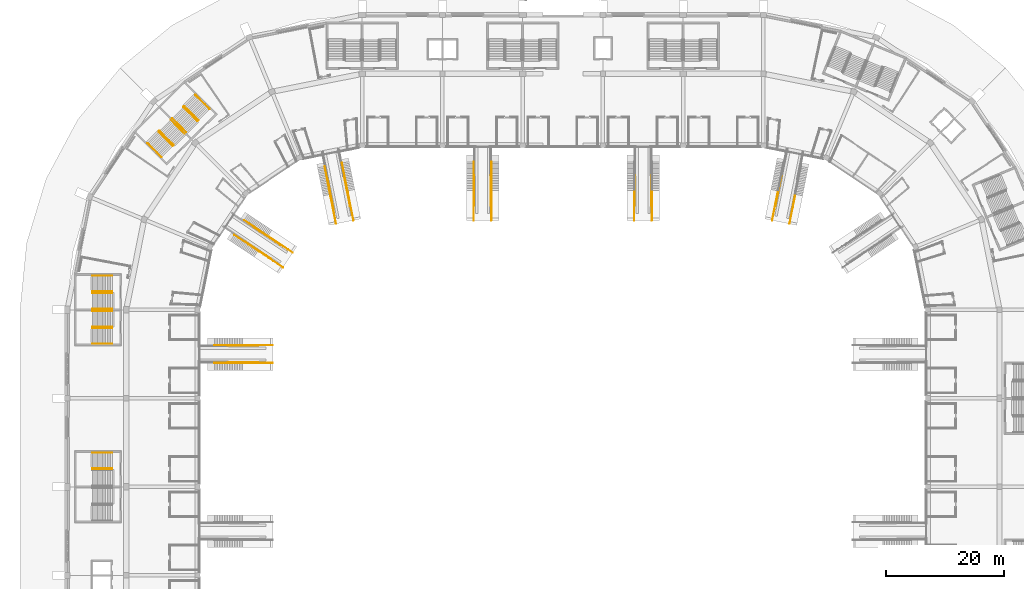
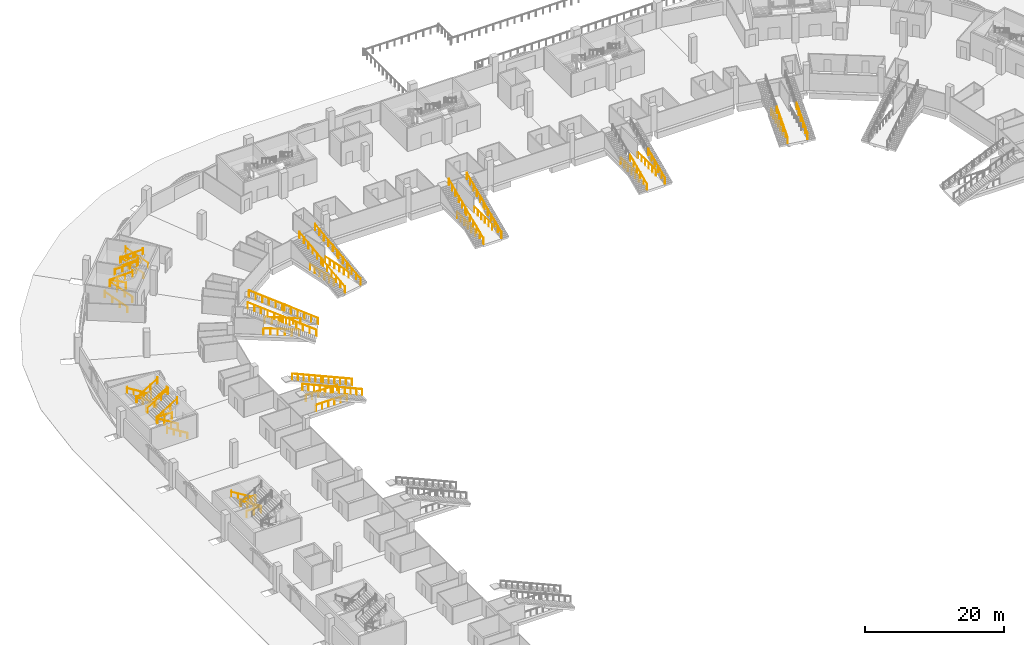
# One storey, part 164 of 175: 55 railings.
"""IFC4 building model written with IfcOpenShell, lengths in metres."""

from ifc_helpers import new_model, si_unit, direction, frame, origin, origin_2d, place, context, subcontext, project, spatial, circle, extrude, material, type_object, element, save


model = new_model("IFC4")

# Units and contexts
model_context = context("Model", 3, precision=1e-05, world=origin(), true_north=direction((0.0, 1.0)))
body_context = subcontext(model_context, "Body", "Model", "MODEL_VIEW")
ifc_project = project(units=[si_unit("LENGTHUNIT", "METRE"), si_unit("AREAUNIT", "SQUARE_METRE"), si_unit("VOLUMEUNIT", "CUBIC_METRE"), si_unit("PLANEANGLEUNIT", "RADIAN"), si_unit("MASSUNIT", "GRAM", prefix="KILO")], contexts=[model_context])

# Site, building, storey
site_placement = place(None, origin())
site = spatial("IfcSite", under=ifc_project, at=site_placement, CompositionType="ELEMENT")
building_placement = place(site_placement, origin())
building = spatial("IfcBuilding", under=site, at=building_placement, Name="Ogive Plaza Stadium", CompositionType="ELEMENT")
storey_placement = place(building_placement, origin())
storey = spatial("IfcBuildingStorey", under=building, at=storey_placement, Name="L00", CompositionType="ELEMENT", Elevation=0.0)

# Railings
ifc_material_1 = material(Name="Steel ASTM A572 Grade 50", Category="steel")
railing_type_1 = type_object("IfcRailingType", Name="Guard 1100", PredefinedType="GUARDRAIL", material=ifc_material_1)
for number, where, name in (
    (1, (-76.35009765625, 25.47509765625, 0.0), "Stair well guard ST26A L00"),
    (2, (-77.31005859375, 25.47509765625, 2.25), "Stair well guard ST26A L00"),
    (3, (-77.31005859375, 55.47509765625, 2.25), "Stair well guard ST28A L00"),
    (4, (-77.31005859375, 49.52490234375, 2.25), "Stair well guard ST28B L00"),
):
    element("IfcRailing", number, at=place(storey_placement, frame(where)), inside=storey, type_object=railing_type_1, Name=name, PredefinedType="GUARDRAIL", context=body_context, shape_type="SweptSolid", body=[
        extrude(circle(Radius=0.02392578125, at=origin_2d()), frame((0.0, 0.0, 1.076171875), z_axis=(-1.0, 0.0, 0.0), x_axis=(0.0, -1.0, 0.0)), (0.0, 0.0, 1.0), 2.39990234375),
        extrude(circle(Radius=0.02099609375, at=origin_2d()), origin(), (0.0, 0.0, 1.0), 1.052001953125),
        extrude(circle(Radius=0.02099609375, at=origin_2d()), frame((-1.199951171875, 0.0, 0.0)), (0.0, 0.0, 1.0), 1.052001953125),
        extrude(circle(Radius=0.02099609375, at=origin_2d()), frame((-2.39990234375, 0.0, 0.0)), (0.0, 0.0, 1.0), 1.052001953125),
    ])
for number, where, name in (
    (5, (-62.521240234375, 85.228515625, 2.25), "Stair well guard ST30A L00"),
    (6, (-66.728515625, 81.021240234375, 2.25), "Stair well guard ST30B L00"),
):
    element("IfcRailing", number, at=place(storey_placement, frame(where)), inside=storey, type_object=railing_type_1, Name=name, PredefinedType="GUARDRAIL", context=body_context, shape_type="SweptSolid", body=[
        extrude(circle(Radius=0.02392578125, at=origin_2d()), frame((0.0, 0.0, 1.076171875), z_axis=(-0.707106781187, 0.707106781187, 0.0), x_axis=(-0.707106781187, -0.707106781187, 0.0)), (0.0, 0.0, 1.0), 2.39990234375),
        extrude(circle(Radius=0.02099609375, at=origin_2d()), origin(), (0.0, 0.0, 1.0), 1.052001953125),
        extrude(circle(Radius=0.02099609375, at=origin_2d()), frame((-0.8486328125, 0.8486328125, 0.0)), (0.0, 0.0, 1.0), 1.052001953125),
        extrude(circle(Radius=0.02099609375, at=origin_2d()), frame((-1.697021484375, 1.697021484375, 0.0)), (0.0, 0.0, 1.0), 1.052001953125),
    ])
for number, where, name in (
    (7, (-49.14990234375, 46.5, 0.125), "Vomitory guard B27"),
    (8, (-54.25, 46.5, 2.375), "Vomitory guard B27"),
    (9, (-49.14990234375, 43.5, 0.125), "Vomitory guard B27"),
    (10, (-54.25, 43.5, 2.375), "Vomitory guard B27"),
):
    element("IfcRailing", number, at=place(storey_placement, frame(where)), inside=storey, type_object=railing_type_1, Name=name, PredefinedType="GUARDRAIL", context=body_context, shape_type="SweptSolid", body=[
        extrude(circle(Radius=0.02392578125, at=origin_2d()), frame((0.0, 0.0, 1.076171875), z_axis=(-0.914917297869, 0.0, 0.403641348302), x_axis=(0.0, -1.0, 0.0)), (0.0, 0.0, 1.0), 5.2646484375),
        extrude(circle(Radius=0.02099609375, at=origin_2d()), origin(), (0.0, 0.0, 1.0), 1.052001953125),
        extrude(circle(Radius=0.02099609375, at=origin_2d()), frame((-0.96337890625, 0.0, 0.425048828125)), (0.0, 0.0, 1.0), 1.052001953125),
        extrude(circle(Radius=0.02099609375, at=origin_2d()), frame((-1.9267578125, 0.0, 0.85009765625)), (0.0, 0.0, 1.0), 1.052001953125),
        extrude(circle(Radius=0.02099609375, at=origin_2d()), frame((-2.889892578125, 0.0, 1.27490234375)), (0.0, 0.0, 1.0), 1.052001953125),
        extrude(circle(Radius=0.02099609375, at=origin_2d()), frame((-3.853271484375, 0.0, 1.699951171875)), (0.0, 0.0, 1.0), 1.052001953125),
        extrude(circle(Radius=0.02099609375, at=origin_2d()), frame((-4.816650390625, 0.0, 2.125)), (0.0, 0.0, 1.0), 1.052001953125),
    ])
for number, where, name in (
    (11, (-51.643310546875, 46.419921875, 0.0), "Vomitory edge guard B27"),
    (12, (-51.643310546875, 43.580078125, 0.0), "Vomitory edge guard B27"),
):
    element("IfcRailing", number, at=place(storey_placement, frame(where)), inside=storey, type_object=railing_type_1, Name=name, PredefinedType="GUARDRAIL", context=body_context, shape_type="SweptSolid", body=[
        extrude(circle(Radius=0.02392578125, at=origin_2d()), frame((0.0, 0.0, 1.076171875), z_axis=(-1.0, 0.0, 0.0), x_axis=(0.0, -1.0, 0.0)), (0.0, 0.0, 1.0), 5.15673828125),
        extrude(circle(Radius=0.02099609375, at=origin_2d()), origin(), (0.0, 0.0, 1.0), 1.052001953125),
        extrude(circle(Radius=0.02099609375, at=origin_2d()), frame((-1.03125, 0.0, 0.0)), (0.0, 0.0, 1.0), 1.052001953125),
        extrude(circle(Radius=0.02099609375, at=origin_2d()), frame((-2.062744140625, 0.0, 0.0)), (0.0, 0.0, 1.0), 1.052001953125),
        extrude(circle(Radius=0.02099609375, at=origin_2d()), frame((-3.093994140625, 0.0, 0.0)), (0.0, 0.0, 1.0), 1.052001953125),
        extrude(circle(Radius=0.02099609375, at=origin_2d()), frame((-4.12548828125, 0.0, 0.0)), (0.0, 0.0, 1.0), 1.052001953125),
        extrude(circle(Radius=0.02099609375, at=origin_2d()), frame((-5.15673828125, 0.0, 0.0)), (0.0, 0.0, 1.0), 1.052001953125),
    ])
for number, where, name in (
    (13, (-45.763427734375, 62.1640625, 0.125), "Vomitory guard B29"),
    (14, (-50.00390625, 64.99755859375, 2.375), "Vomitory guard B29"),
    (15, (-47.43017578125, 59.669677734375, 0.125), "Vomitory guard B29"),
    (16, (-51.670654296875, 62.503173828125, 2.375), "Vomitory guard B29"),
):
    element("IfcRailing", number, at=place(storey_placement, frame(where)), inside=storey, type_object=railing_type_1, Name=name, PredefinedType="GUARDRAIL", context=body_context, shape_type="SweptSolid", body=[
        extrude(circle(Radius=0.02392578125, at=origin_2d()), frame((0.0, 0.0, 1.076171875), z_axis=(-0.760721903755, 0.508307290116, 0.403640785801), x_axis=(-0.555577158095, -0.831464985073, 0.0)), (0.0, 0.0, 1.0), 5.2646484375),
        extrude(circle(Radius=0.02099609375, at=origin_2d()), origin(), (0.0, 0.0, 1.0), 1.052001953125),
        extrude(circle(Radius=0.02099609375, at=origin_2d()), frame((-0.801025390625, 0.53515625, 0.425048828125)), (0.0, 0.0, 1.0), 1.052001953125),
        extrude(circle(Radius=0.02099609375, at=origin_2d()), frame((-1.60205078125, 1.0703125, 0.85009765625)), (0.0, 0.0, 1.0), 1.052001953125),
        extrude(circle(Radius=0.02099609375, at=origin_2d()), frame((-2.40283203125, 1.605712890625, 1.27490234375)), (0.0, 0.0, 1.0), 1.052001953125),
        extrude(circle(Radius=0.02099609375, at=origin_2d()), frame((-3.203857421875, 2.140869140625, 1.699951171875)), (0.0, 0.0, 1.0), 1.052001953125),
        extrude(circle(Radius=0.02099609375, at=origin_2d()), frame((-4.0048828125, 2.676025390625, 2.125)), (0.0, 0.0, 1.0), 1.052001953125),
    ])
railing_1_placement = place(storey_placement, frame((-47.881103515625, 63.48291015625, 0.0)))
element("IfcRailing", 17, at=railing_1_placement, inside=storey, type_object=railing_type_1, Name="Vomitory edge guard B29", PredefinedType="GUARDRAIL", context=body_context, shape_type="SweptSolid", body=[
    extrude(circle(Radius=0.02392578125, at=origin_2d()), frame((0.0, 0.0, 1.076171875), z_axis=(-0.831481711871, 0.555552124308, 0.0), x_axis=(-0.555552124308, -0.831481711871, 0.0)), (0.0, 0.0, 1.0), 5.156494140625),
    extrude(circle(Radius=0.02099609375, at=origin_2d()), origin(), (0.0, 0.0, 1.0), 1.052001953125),
    extrude(circle(Radius=0.02099609375, at=origin_2d()), frame((-0.857421875, 0.572998046875, 0.0)), (0.0, 0.0, 1.0), 1.052001953125),
    extrude(circle(Radius=0.02099609375, at=origin_2d()), frame((-1.715087890625, 1.14599609375, 0.0)), (0.0, 0.0, 1.0), 1.052001953125),
    extrude(circle(Radius=0.02099609375, at=origin_2d()), frame((-2.572509765625, 1.71875, 0.0)), (0.0, 0.0, 1.0), 1.052001953125),
    extrude(circle(Radius=0.02099609375, at=origin_2d()), frame((-3.43017578125, 2.291748046875, 0.0)), (0.0, 0.0, 1.0), 1.052001953125),
    extrude(circle(Radius=0.02099609375, at=origin_2d()), frame((-4.28759765625, 2.86474609375, 0.0)), (0.0, 0.0, 1.0), 1.052001953125),
])
railing_2_placement = place(storey_placement, frame((-49.458740234375, 61.121337890625, 0.0)))
element("IfcRailing", 18, at=railing_2_placement, inside=storey, type_object=railing_type_1, Name="Vomitory edge guard B29", PredefinedType="GUARDRAIL", context=body_context, shape_type="SweptSolid", body=[
    extrude(circle(Radius=0.02392578125, at=origin_2d()), frame((0.0, 0.0, 1.076171875), z_axis=(-0.831459841427, 0.55558485589, 0.0), x_axis=(-0.55558485589, -0.831459841427, 0.0)), (0.0, 0.0, 1.0), 5.15673828125),
    extrude(circle(Radius=0.02099609375, at=origin_2d()), origin(), (0.0, 0.0, 1.0), 1.052001953125),
    extrude(circle(Radius=0.02099609375, at=origin_2d()), frame((-0.857421875, 0.572998046875, 0.0)), (0.0, 0.0, 1.0), 1.052001953125),
    extrude(circle(Radius=0.02099609375, at=origin_2d()), frame((-1.715087890625, 1.14599609375, 0.0)), (0.0, 0.0, 1.0), 1.052001953125),
    extrude(circle(Radius=0.02099609375, at=origin_2d()), frame((-2.572509765625, 1.718994140625, 0.0)), (0.0, 0.0, 1.0), 1.052001953125),
    extrude(circle(Radius=0.02099609375, at=origin_2d()), frame((-3.43017578125, 2.2919921875, 0.0)), (0.0, 0.0, 1.0), 1.052001953125),
    extrude(circle(Radius=0.02099609375, at=origin_2d()), frame((-4.28759765625, 2.864990234375, 0.0)), (0.0, 0.0, 1.0), 1.052001953125),
])
for number, where, name in (
    (19, (-35.484375, 67.651611328125, 0.125), "Vomitory guard B31"),
    (20, (-36.4794921875, 72.653564453125, 2.375), "Vomitory guard B31"),
    (21, (-38.4267578125, 67.066162109375, 0.125), "Vomitory guard B31"),
):
    element("IfcRailing", number, at=place(storey_placement, frame(where)), inside=storey, type_object=railing_type_1, Name=name, PredefinedType="GUARDRAIL", context=body_context, shape_type="SweptSolid", body=[
        extrude(circle(Radius=0.02392578125, at=origin_2d()), frame((0.0, 0.0, 1.076171875), z_axis=(-0.178493692695, 0.897337738024, 0.403639672959), x_axis=(-0.980784837267, -0.1950925498, 0.0)), (0.0, 0.0, 1.0), 5.2646484375),
        extrude(circle(Radius=0.02099609375, at=origin_2d()), origin(), (0.0, 0.0, 1.0), 1.052001953125),
        extrude(circle(Radius=0.02099609375, at=origin_2d()), frame((-0.18798828125, 0.94482421875, 0.425048828125)), (0.0, 0.0, 1.0), 1.052001953125),
        extrude(circle(Radius=0.02099609375, at=origin_2d()), frame((-0.3759765625, 1.8896484375, 0.85009765625)), (0.0, 0.0, 1.0), 1.052001953125),
        extrude(circle(Radius=0.02099609375, at=origin_2d()), frame((-0.563720703125, 2.83447265625, 1.27490234375)), (0.0, 0.0, 1.0), 1.052001953125),
        extrude(circle(Radius=0.02099609375, at=origin_2d()), frame((-0.751708984375, 3.779296875, 1.699951171875)), (0.0, 0.0, 1.0), 1.052001953125),
        extrude(circle(Radius=0.02099609375, at=origin_2d()), frame((-0.939697265625, 4.72412109375, 2.125)), (0.0, 0.0, 1.0), 1.052001953125),
    ])
railing_3_placement = place(storey_placement, frame((-39.421875, 72.068359375, 2.375)))
element("IfcRailing", 22, at=railing_3_placement, inside=storey, type_object=railing_type_1, Name="Vomitory guard B31", PredefinedType="GUARDRAIL", context=body_context, shape_type="SweptSolid", body=[
    extrude(circle(Radius=0.02392578125, at=origin_2d()), frame((0.0, 0.0, 1.076171875), z_axis=(-0.178448795571, 0.897345164841, 0.403643013684), x_axis=(-0.980794534709, -0.195043791709, 0.0)), (0.0, 0.0, 1.0), 5.2646484375),
    extrude(circle(Radius=0.02099609375, at=origin_2d()), origin(), (0.0, 0.0, 1.0), 1.052001953125),
    extrude(circle(Radius=0.02099609375, at=origin_2d()), frame((-0.18798828125, 0.94482421875, 0.425048828125)), (0.0, 0.0, 1.0), 1.052001953125),
    extrude(circle(Radius=0.02099609375, at=origin_2d()), frame((-0.375732421875, 1.8896484375, 0.85009765625)), (0.0, 0.0, 1.0), 1.052001953125),
    extrude(circle(Radius=0.02099609375, at=origin_2d()), frame((-0.563720703125, 2.83447265625, 1.27490234375)), (0.0, 0.0, 1.0), 1.052001953125),
    extrude(circle(Radius=0.02099609375, at=origin_2d()), frame((-0.75146484375, 3.779296875, 1.699951171875)), (0.0, 0.0, 1.0), 1.052001953125),
    extrude(circle(Radius=0.02099609375, at=origin_2d()), frame((-0.939453125, 4.72412109375, 2.125)), (0.0, 0.0, 1.0), 1.052001953125),
])
for number, where, name in (
    (23, (-36.04931640625, 70.081298828125, 0.0), "Vomitory edge guard B31"),
    (24, (-38.834716796875, 69.52734375, 0.0), "Vomitory edge guard B31"),
):
    element("IfcRailing", number, at=place(storey_placement, frame(where)), inside=storey, type_object=railing_type_1, Name=name, PredefinedType="GUARDRAIL", context=body_context, shape_type="SweptSolid", body=[
        extrude(circle(Radius=0.02392578125, at=origin_2d()), frame((0.0, 0.0, 1.076171875), z_axis=(-0.195105414578, 0.980782278185, 0.0), x_axis=(-0.980782278185, -0.195105414578, 0.0)), (0.0, 0.0, 1.0), 5.15673828125),
        extrude(circle(Radius=0.02099609375, at=origin_2d()), origin(), (0.0, 0.0, 1.0), 1.052001953125),
        extrude(circle(Radius=0.02099609375, at=origin_2d()), frame((-0.201171875, 1.011474609375, 0.0)), (0.0, 0.0, 1.0), 1.052001953125),
        extrude(circle(Radius=0.02099609375, at=origin_2d()), frame((-0.40234375, 2.02294921875, 0.0)), (0.0, 0.0, 1.0), 1.052001953125),
        extrude(circle(Radius=0.02099609375, at=origin_2d()), frame((-0.603759765625, 3.03466796875, 0.0)), (0.0, 0.0, 1.0), 1.052001953125),
        extrude(circle(Radius=0.02099609375, at=origin_2d()), frame((-0.804931640625, 4.046142578125, 0.0)), (0.0, 0.0, 1.0), 1.052001953125),
        extrude(circle(Radius=0.02099609375, at=origin_2d()), frame((-1.006103515625, 5.0576171875, 0.0)), (0.0, 0.0, 1.0), 1.052001953125),
    ])
for number, where, name in (
    (25, (-12.10009765625, 67.64990234375, 0.125), "Vomitory guard B33"),
    (26, (-12.10009765625, 72.75, 2.375), "Vomitory guard B33"),
    (27, (-15.10009765625, 67.64990234375, 0.125), "Vomitory guard B33"),
    (28, (-15.10009765625, 72.75, 2.375), "Vomitory guard B33"),
):
    element("IfcRailing", number, at=place(storey_placement, frame(where)), inside=storey, type_object=railing_type_1, Name=name, PredefinedType="GUARDRAIL", context=body_context, shape_type="SweptSolid", body=[
        extrude(circle(Radius=0.02392578125, at=origin_2d()), frame((0.0, 0.0, 1.076171875), z_axis=(0.0, 0.914917297869, 0.403641348302), x_axis=(-1.0, 0.0, 0.0)), (0.0, 0.0, 1.0), 5.2646484375),
        extrude(circle(Radius=0.02099609375, at=origin_2d()), origin(), (0.0, 0.0, 1.0), 1.052001953125),
        extrude(circle(Radius=0.02099609375, at=origin_2d()), frame((0.0, 0.96337890625, 0.425048828125)), (0.0, 0.0, 1.0), 1.052001953125),
        extrude(circle(Radius=0.02099609375, at=origin_2d()), frame((0.0, 1.9267578125, 0.85009765625)), (0.0, 0.0, 1.0), 1.052001953125),
        extrude(circle(Radius=0.02099609375, at=origin_2d()), frame((0.0, 2.889892578125, 1.27490234375)), (0.0, 0.0, 1.0), 1.052001953125),
        extrude(circle(Radius=0.02099609375, at=origin_2d()), frame((0.0, 3.853271484375, 1.699951171875)), (0.0, 0.0, 1.0), 1.052001953125),
        extrude(circle(Radius=0.02099609375, at=origin_2d()), frame((0.0, 4.816650390625, 2.125)), (0.0, 0.0, 1.0), 1.052001953125),
    ])
for number, where, name in (
    (29, (-12.179931640625, 70.143310546875, 0.0), "Vomitory edge guard B33"),
    (30, (-15.02001953125, 70.143310546875, 0.0), "Vomitory edge guard B33"),
):
    element("IfcRailing", number, at=place(storey_placement, frame(where)), inside=storey, type_object=railing_type_1, Name=name, PredefinedType="GUARDRAIL", context=body_context, shape_type="SweptSolid", body=[
        extrude(circle(Radius=0.02392578125, at=origin_2d()), frame((0.0, 0.0, 1.076171875), z_axis=(0.0, 1.0, 0.0), x_axis=(-1.0, 0.0, 0.0)), (0.0, 0.0, 1.0), 5.15673828125),
        extrude(circle(Radius=0.02099609375, at=origin_2d()), origin(), (0.0, 0.0, 1.0), 1.052001953125),
        extrude(circle(Radius=0.02099609375, at=origin_2d()), frame((0.0, 1.03125, 0.0)), (0.0, 0.0, 1.0), 1.052001953125),
        extrude(circle(Radius=0.02099609375, at=origin_2d()), frame((0.0, 2.062744140625, 0.0)), (0.0, 0.0, 1.0), 1.052001953125),
        extrude(circle(Radius=0.02099609375, at=origin_2d()), frame((0.0, 3.093994140625, 0.0)), (0.0, 0.0, 1.0), 1.052001953125),
        extrude(circle(Radius=0.02099609375, at=origin_2d()), frame((0.0, 4.12548828125, 0.0)), (0.0, 0.0, 1.0), 1.052001953125),
        extrude(circle(Radius=0.02099609375, at=origin_2d()), frame((0.0, 5.15673828125, 0.0)), (0.0, 0.0, 1.0), 1.052001953125),
    ])
for number, where, name in (
    (31, (15.10009765625, 67.64990234375, 0.125), "Vomitory guard B35"),
    (32, (12.10009765625, 67.64990234375, 0.125), "Vomitory guard B35"),
):
    element("IfcRailing", number, at=place(storey_placement, frame(where)), inside=storey, type_object=railing_type_1, Name=name, PredefinedType="GUARDRAIL", context=body_context, shape_type="SweptSolid", body=[
        extrude(circle(Radius=0.02392578125, at=origin_2d()), frame((0.0, 0.0, 1.076171875), z_axis=(0.0, 0.914917297869, 0.403641348302), x_axis=(-1.0, 0.0, 0.0)), (0.0, 0.0, 1.0), 5.2646484375),
        extrude(circle(Radius=0.02099609375, at=origin_2d()), origin(), (0.0, 0.0, 1.0), 1.052001953125),
        extrude(circle(Radius=0.02099609375, at=origin_2d()), frame((0.0, 0.96337890625, 0.425048828125)), (0.0, 0.0, 1.0), 1.052001953125),
        extrude(circle(Radius=0.02099609375, at=origin_2d()), frame((0.0, 1.9267578125, 0.85009765625)), (0.0, 0.0, 1.0), 1.052001953125),
        extrude(circle(Radius=0.02099609375, at=origin_2d()), frame((0.0, 2.889892578125, 1.27490234375)), (0.0, 0.0, 1.0), 1.052001953125),
        extrude(circle(Radius=0.02099609375, at=origin_2d()), frame((0.0, 3.853271484375, 1.699951171875)), (0.0, 0.0, 1.0), 1.052001953125),
        extrude(circle(Radius=0.02099609375, at=origin_2d()), frame((0.0, 4.816650390625, 2.125)), (0.0, 0.0, 1.0), 1.052001953125),
    ])
for number, where, name in (
    (33, (15.02001953125, 70.143310546875, 0.0), "Vomitory edge guard B35"),
    (34, (12.179931640625, 70.143310546875, 0.0), "Vomitory edge guard B35"),
):
    element("IfcRailing", number, at=place(storey_placement, frame(where)), inside=storey, type_object=railing_type_1, Name=name, PredefinedType="GUARDRAIL", context=body_context, shape_type="SweptSolid", body=[
        extrude(circle(Radius=0.02392578125, at=origin_2d()), frame((0.0, 0.0, 1.076171875), z_axis=(0.0, 1.0, 0.0), x_axis=(-1.0, 0.0, 0.0)), (0.0, 0.0, 1.0), 5.15673828125),
        extrude(circle(Radius=0.02099609375, at=origin_2d()), origin(), (0.0, 0.0, 1.0), 1.052001953125),
        extrude(circle(Radius=0.02099609375, at=origin_2d()), frame((0.0, 1.03125, 0.0)), (0.0, 0.0, 1.0), 1.052001953125),
        extrude(circle(Radius=0.02099609375, at=origin_2d()), frame((0.0, 2.062744140625, 0.0)), (0.0, 0.0, 1.0), 1.052001953125),
        extrude(circle(Radius=0.02099609375, at=origin_2d()), frame((0.0, 3.093994140625, 0.0)), (0.0, 0.0, 1.0), 1.052001953125),
        extrude(circle(Radius=0.02099609375, at=origin_2d()), frame((0.0, 4.12548828125, 0.0)), (0.0, 0.0, 1.0), 1.052001953125),
        extrude(circle(Radius=0.02099609375, at=origin_2d()), frame((0.0, 5.15673828125, 0.0)), (0.0, 0.0, 1.0), 1.052001953125),
    ])
for number, where, name in (
    (35, (38.4267578125, 67.066162109375, 0.125), "Vomitory guard B37"),
    (36, (35.484375, 67.651611328125, 0.125), "Vomitory guard B37"),
):
    element("IfcRailing", number, at=place(storey_placement, frame(where)), inside=storey, type_object=railing_type_1, Name=name, PredefinedType="GUARDRAIL", context=body_context, shape_type="SweptSolid", body=[
        extrude(circle(Radius=0.02392578125, at=origin_2d()), frame((0.0, 0.0, 1.076171875), z_axis=(0.178493692695, 0.897337738024, 0.403639672959), x_axis=(-0.980784837267, 0.1950925498, 0.0)), (0.0, 0.0, 1.0), 5.2646484375),
        extrude(circle(Radius=0.02099609375, at=origin_2d()), origin(), (0.0, 0.0, 1.0), 1.052001953125),
        extrude(circle(Radius=0.02099609375, at=origin_2d()), frame((0.18798828125, 0.94482421875, 0.425048828125)), (0.0, 0.0, 1.0), 1.052001953125),
        extrude(circle(Radius=0.02099609375, at=origin_2d()), frame((0.3759765625, 1.8896484375, 0.85009765625)), (0.0, 0.0, 1.0), 1.052001953125),
        extrude(circle(Radius=0.02099609375, at=origin_2d()), frame((0.563720703125, 2.83447265625, 1.27490234375)), (0.0, 0.0, 1.0), 1.052001953125),
        extrude(circle(Radius=0.02099609375, at=origin_2d()), frame((0.751708984375, 3.779296875, 1.699951171875)), (0.0, 0.0, 1.0), 1.052001953125),
        extrude(circle(Radius=0.02099609375, at=origin_2d()), frame((0.939697265625, 4.72412109375, 2.125)), (0.0, 0.0, 1.0), 1.052001953125),
    ])
railing_4_placement = place(storey_placement, frame((36.04931640625, 70.081298828125, 0.0)))
element("IfcRailing", 37, at=railing_4_placement, inside=storey, type_object=railing_type_1, Name="Vomitory edge guard B37", PredefinedType="GUARDRAIL", context=body_context, shape_type="SweptSolid", body=[
    extrude(circle(Radius=0.02392578125, at=origin_2d()), frame((0.0, 0.0, 1.076171875), z_axis=(0.195105414578, 0.980782278185, 0.0), x_axis=(-0.980782278185, 0.195105414578, 0.0)), (0.0, 0.0, 1.0), 5.15673828125),
    extrude(circle(Radius=0.02099609375, at=origin_2d()), origin(), (0.0, 0.0, 1.0), 1.052001953125),
    extrude(circle(Radius=0.02099609375, at=origin_2d()), frame((0.201171875, 1.011474609375, 0.0)), (0.0, 0.0, 1.0), 1.052001953125),
    extrude(circle(Radius=0.02099609375, at=origin_2d()), frame((0.40234375, 2.02294921875, 0.0)), (0.0, 0.0, 1.0), 1.052001953125),
    extrude(circle(Radius=0.02099609375, at=origin_2d()), frame((0.603759765625, 3.03466796875, 0.0)), (0.0, 0.0, 1.0), 1.052001953125),
    extrude(circle(Radius=0.02099609375, at=origin_2d()), frame((0.804931640625, 4.046142578125, 0.0)), (0.0, 0.0, 1.0), 1.052001953125),
    extrude(circle(Radius=0.02099609375, at=origin_2d()), frame((1.006103515625, 5.0576171875, 0.0)), (0.0, 0.0, 1.0), 1.052001953125),
])
ifc_material_2 = material(Name="Steel ASTM A572 Grade 50", Category="steel")
railing_type_2 = type_object("IfcRailingType", Name="Handrail 900", PredefinedType="HANDRAIL", material=ifc_material_2)
for number, where, name in (
    (38, (-76.35009765625, 28.264892578125, 0.173095703125), "Handrail ST26A L00"),
    (39, (-76.35009765625, 25.5849609375, 0.173095703125), "Handrail ST26A L00"),
    (40, (-76.35009765625, 58.264892578125, 0.173095703125), "Handrail ST28A L00"),
    (41, (-76.35009765625, 55.5849609375, 0.173095703125), "Handrail ST28A L00"),
):
    element("IfcRailing", number, at=place(storey_placement, frame(where)), inside=storey, type_object=railing_type_2, Name=name, PredefinedType="HANDRAIL", context=body_context, shape_type="SweptSolid", body=[
        extrude(circle(Radius=0.02392578125, at=origin_2d()), frame((0.0, 0.0, 0.8759765625), z_axis=(-0.850606129759, 0.0, 0.525803396734), x_axis=(0.0, -1.0, 0.0)), (0.0, 0.0, 1.0), 3.949951171875),
        extrude(circle(Radius=0.02099609375, at=origin_2d()), origin(), (0.0, 0.0, 1.0), 0.851806640625),
        extrude(circle(Radius=0.02099609375, at=origin_2d()), frame((-1.119873046875, 0.0, 0.6923828125)), (0.0, 0.0, 1.0), 0.851806640625),
        extrude(circle(Radius=0.02099609375, at=origin_2d()), frame((-2.239990234375, 0.0, 1.384521484375)), (0.0, 0.0, 1.0), 0.851806640625),
        extrude(circle(Radius=0.02099609375, at=origin_2d()), frame((-3.35986328125, 0.0, 2.076904296875)), (0.0, 0.0, 1.0), 1.10009765625),
    ])
for number, where, name in (
    (42, (-79.7099609375, 55.364990234375, 2.423095703125), "Handrail ST28A L00"),
    (43, (-79.7099609375, 52.68505859375, 2.423095703125), "Handrail ST28A L00"),
):
    element("IfcRailing", number, at=place(storey_placement, frame(where)), inside=storey, type_object=railing_type_2, Name=name, PredefinedType="HANDRAIL", context=body_context, shape_type="SweptSolid", body=[
        extrude(circle(Radius=0.02392578125, at=origin_2d()), frame((0.0, 0.0, 0.8759765625), z_axis=(0.850606129759, 0.0, 0.525803396734), x_axis=(0.0, 1.0, 0.0)), (0.0, 0.0, 1.0), 3.949951171875),
        extrude(circle(Radius=0.02099609375, at=origin_2d()), origin(), (0.0, 0.0, 1.0), 0.851806640625),
        extrude(circle(Radius=0.02099609375, at=origin_2d()), frame((1.119873046875, 0.0, 0.6923828125)), (0.0, 0.0, 1.0), 0.851806640625),
        extrude(circle(Radius=0.02099609375, at=origin_2d()), frame((2.239990234375, 0.0, 1.384521484375)), (0.0, 0.0, 1.0), 0.851806640625),
        extrude(circle(Radius=0.02099609375, at=origin_2d()), frame((3.35986328125, 0.0, 2.076904296875)), (0.0, 0.0, 1.0), 1.10009765625),
    ])
for number, where, name in (
    (44, (-76.35009765625, 49.4150390625, 0.173095703125), "Handrail ST28B L00"),
    (45, (-76.35009765625, 46.735107421875, 0.173095703125), "Handrail ST28B L00"),
):
    element("IfcRailing", number, at=place(storey_placement, frame(where)), inside=storey, type_object=railing_type_2, Name=name, PredefinedType="HANDRAIL", context=body_context, shape_type="SweptSolid", body=[
        extrude(circle(Radius=0.02392578125, at=origin_2d()), frame((0.0, 0.0, 0.8759765625), z_axis=(-0.850606129759, 0.0, 0.525803396734), x_axis=(0.0, -1.0, 0.0)), (0.0, 0.0, 1.0), 3.949951171875),
        extrude(circle(Radius=0.02099609375, at=origin_2d()), origin(), (0.0, 0.0, 1.0), 0.851806640625),
        extrude(circle(Radius=0.02099609375, at=origin_2d()), frame((-1.119873046875, 0.0, 0.6923828125)), (0.0, 0.0, 1.0), 0.851806640625),
        extrude(circle(Radius=0.02099609375, at=origin_2d()), frame((-2.239990234375, 0.0, 1.384521484375)), (0.0, 0.0, 1.0), 0.851806640625),
        extrude(circle(Radius=0.02099609375, at=origin_2d()), frame((-3.35986328125, 0.0, 2.076904296875)), (0.0, 0.0, 1.0), 1.10009765625),
    ])
for number, where, name in (
    (46, (-79.7099609375, 52.31494140625, 2.423095703125), "Handrail ST28B L00"),
    (47, (-79.7099609375, 49.635009765625, 2.423095703125), "Handrail ST28B L00"),
):
    element("IfcRailing", number, at=place(storey_placement, frame(where)), inside=storey, type_object=railing_type_2, Name=name, PredefinedType="HANDRAIL", context=body_context, shape_type="SweptSolid", body=[
        extrude(circle(Radius=0.02392578125, at=origin_2d()), frame((0.0, 0.0, 0.8759765625), z_axis=(0.850606129759, 0.0, 0.525803396734), x_axis=(0.0, 1.0, 0.0)), (0.0, 0.0, 1.0), 3.949951171875),
        extrude(circle(Radius=0.02099609375, at=origin_2d()), origin(), (0.0, 0.0, 1.0), 0.851806640625),
        extrude(circle(Radius=0.02099609375, at=origin_2d()), frame((1.119873046875, 0.0, 0.6923828125)), (0.0, 0.0, 1.0), 0.851806640625),
        extrude(circle(Radius=0.02099609375, at=origin_2d()), frame((2.239990234375, 0.0, 1.384521484375)), (0.0, 0.0, 1.0), 0.851806640625),
        extrude(circle(Radius=0.02099609375, at=origin_2d()), frame((3.35986328125, 0.0, 2.076904296875)), (0.0, 0.0, 1.0), 1.10009765625),
    ])
railing_5_placement = place(storey_placement, frame((-59.869384765625, 86.5224609375, 0.173095703125)))
element("IfcRailing", 48, at=railing_5_placement, inside=storey, type_object=railing_type_2, Name="Handrail ST30A L00", PredefinedType="HANDRAIL", context=body_context, shape_type="SweptSolid", body=[
    extrude(circle(Radius=0.02392578125, at=origin_2d()), frame((0.0, 0.0, 0.8759765625), z_axis=(-0.601482971545, 0.601482971545, 0.525772260474), x_axis=(-0.707106781187, -0.707106781187, 0.0)), (0.0, 0.0, 1.0), 3.9501953125),
    extrude(circle(Radius=0.02099609375, at=origin_2d()), origin(), (0.0, 0.0, 1.0), 0.851806640625),
    extrude(circle(Radius=0.02099609375, at=origin_2d()), frame((-0.7919921875, 0.7919921875, 0.6923828125)), (0.0, 0.0, 1.0), 0.851806640625),
    extrude(circle(Radius=0.02099609375, at=origin_2d()), frame((-1.583984375, 1.583984375, 1.384521484375)), (0.0, 0.0, 1.0), 0.851806640625),
    extrude(circle(Radius=0.02099609375, at=origin_2d()), frame((-2.3759765625, 2.3759765625, 2.076904296875)), (0.0, 0.0, 1.0), 1.10009765625),
])
railing_6_placement = place(storey_placement, frame((-61.7646484375, 84.62744140625, 0.173095703125)))
element("IfcRailing", 49, at=railing_6_placement, inside=storey, type_object=railing_type_2, Name="Handrail ST30A L00", PredefinedType="HANDRAIL", context=body_context, shape_type="SweptSolid", body=[
    extrude(circle(Radius=0.02392578125, at=origin_2d()), frame((0.0, 0.0, 0.8759765625), z_axis=(-0.601465884576, 0.601465884576, 0.525811353416), x_axis=(-0.707106781187, -0.707106781187, 0.0)), (0.0, 0.0, 1.0), 3.949951171875),
    extrude(circle(Radius=0.02099609375, at=origin_2d()), origin(), (0.0, 0.0, 1.0), 0.851806640625),
    extrude(circle(Radius=0.02099609375, at=origin_2d()), frame((-0.7919921875, 0.7919921875, 0.6923828125)), (0.0, 0.0, 1.0), 0.851806640625),
    extrude(circle(Radius=0.02099609375, at=origin_2d()), frame((-1.583740234375, 1.583740234375, 1.384521484375)), (0.0, 0.0, 1.0), 0.851806640625),
    extrude(circle(Radius=0.02099609375, at=origin_2d()), frame((-2.375732421875, 2.375732421875, 2.076904296875)), (0.0, 0.0, 1.0), 1.10009765625),
])
for number, where, name in (
    (50, (-64.2958984375, 86.84765625, 2.423095703125), "Handrail ST30A L00"),
    (51, (-66.19091796875, 84.95263671875, 2.423095703125), "Handrail ST30A L00"),
):
    element("IfcRailing", number, at=place(storey_placement, frame(where)), inside=storey, type_object=railing_type_2, Name=name, PredefinedType="HANDRAIL", context=body_context, shape_type="SweptSolid", body=[
        extrude(circle(Radius=0.02392578125, at=origin_2d()), frame((0.0, 0.0, 0.8759765625), z_axis=(0.601465884576, -0.601465884576, 0.525811353416), x_axis=(0.707106781187, 0.707106781187, 0.0)), (0.0, 0.0, 1.0), 3.949951171875),
        extrude(circle(Radius=0.02099609375, at=origin_2d()), origin(), (0.0, 0.0, 1.0), 0.851806640625),
        extrude(circle(Radius=0.02099609375, at=origin_2d()), frame((0.7919921875, -0.7919921875, 0.6923828125)), (0.0, 0.0, 1.0), 0.851806640625),
        extrude(circle(Radius=0.02099609375, at=origin_2d()), frame((1.583740234375, -1.583740234375, 1.384521484375)), (0.0, 0.0, 1.0), 0.851806640625),
        extrude(circle(Radius=0.02099609375, at=origin_2d()), frame((2.375732421875, -2.375732421875, 2.076904296875)), (0.0, 0.0, 1.0), 1.10009765625),
    ])
railing_7_placement = place(storey_placement, frame((-66.12744140625, 80.2646484375, 0.173095703125)))
element("IfcRailing", 52, at=railing_7_placement, inside=storey, type_object=railing_type_2, Name="Handrail ST30B L00", PredefinedType="HANDRAIL", context=body_context, shape_type="SweptSolid", body=[
    extrude(circle(Radius=0.02392578125, at=origin_2d()), frame((0.0, 0.0, 0.8759765625), z_axis=(-0.601465884576, 0.601465884576, 0.525811353416), x_axis=(-0.707106781187, -0.707106781187, 0.0)), (0.0, 0.0, 1.0), 3.949951171875),
    extrude(circle(Radius=0.02099609375, at=origin_2d()), origin(), (0.0, 0.0, 1.0), 0.851806640625),
    extrude(circle(Radius=0.02099609375, at=origin_2d()), frame((-0.7919921875, 0.7919921875, 0.6923828125)), (0.0, 0.0, 1.0), 0.851806640625),
    extrude(circle(Radius=0.02099609375, at=origin_2d()), frame((-1.583740234375, 1.583740234375, 1.384521484375)), (0.0, 0.0, 1.0), 0.851806640625),
    extrude(circle(Radius=0.02099609375, at=origin_2d()), frame((-2.375732421875, 2.375732421875, 2.076904296875)), (0.0, 0.0, 1.0), 1.10009765625),
])
railing_8_placement = place(storey_placement, frame((-68.0224609375, 78.369384765625, 0.173095703125)))
element("IfcRailing", 53, at=railing_8_placement, inside=storey, type_object=railing_type_2, Name="Handrail ST30B L00", PredefinedType="HANDRAIL", context=body_context, shape_type="SweptSolid", body=[
    extrude(circle(Radius=0.02392578125, at=origin_2d()), frame((0.0, 0.0, 0.8759765625), z_axis=(-0.601482971545, 0.601482971545, 0.525772260474), x_axis=(-0.707106781187, -0.707106781187, 0.0)), (0.0, 0.0, 1.0), 3.9501953125),
    extrude(circle(Radius=0.02099609375, at=origin_2d()), origin(), (0.0, 0.0, 1.0), 0.851806640625),
    extrude(circle(Radius=0.02099609375, at=origin_2d()), frame((-0.7919921875, 0.7919921875, 0.6923828125)), (0.0, 0.0, 1.0), 0.851806640625),
    extrude(circle(Radius=0.02099609375, at=origin_2d()), frame((-1.583984375, 1.583984375, 1.384521484375)), (0.0, 0.0, 1.0), 0.851806640625),
    extrude(circle(Radius=0.02099609375, at=origin_2d()), frame((-2.3759765625, 2.3759765625, 2.076904296875)), (0.0, 0.0, 1.0), 1.10009765625),
])
for number, where, name in (
    (54, (-66.45263671875, 84.69091796875, 2.423095703125), "Handrail ST30B L00"),
    (55, (-68.34765625, 82.7958984375, 2.423095703125), "Handrail ST30B L00"),
):
    element("IfcRailing", number, at=place(storey_placement, frame(where)), inside=storey, type_object=railing_type_2, Name=name, PredefinedType="HANDRAIL", context=body_context, shape_type="SweptSolid", body=[
        extrude(circle(Radius=0.02392578125, at=origin_2d()), frame((0.0, 0.0, 0.8759765625), z_axis=(0.601465884576, -0.601465884576, 0.525811353416), x_axis=(0.707106781187, 0.707106781187, 0.0)), (0.0, 0.0, 1.0), 3.949951171875),
        extrude(circle(Radius=0.02099609375, at=origin_2d()), origin(), (0.0, 0.0, 1.0), 0.851806640625),
        extrude(circle(Radius=0.02099609375, at=origin_2d()), frame((0.7919921875, -0.7919921875, 0.6923828125)), (0.0, 0.0, 1.0), 0.851806640625),
        extrude(circle(Radius=0.02099609375, at=origin_2d()), frame((1.583740234375, -1.583740234375, 1.384521484375)), (0.0, 0.0, 1.0), 0.851806640625),
        extrude(circle(Radius=0.02099609375, at=origin_2d()), frame((2.375732421875, -2.375732421875, 2.076904296875)), (0.0, 0.0, 1.0), 1.10009765625),
    ])

save(model, "model.ifc")
